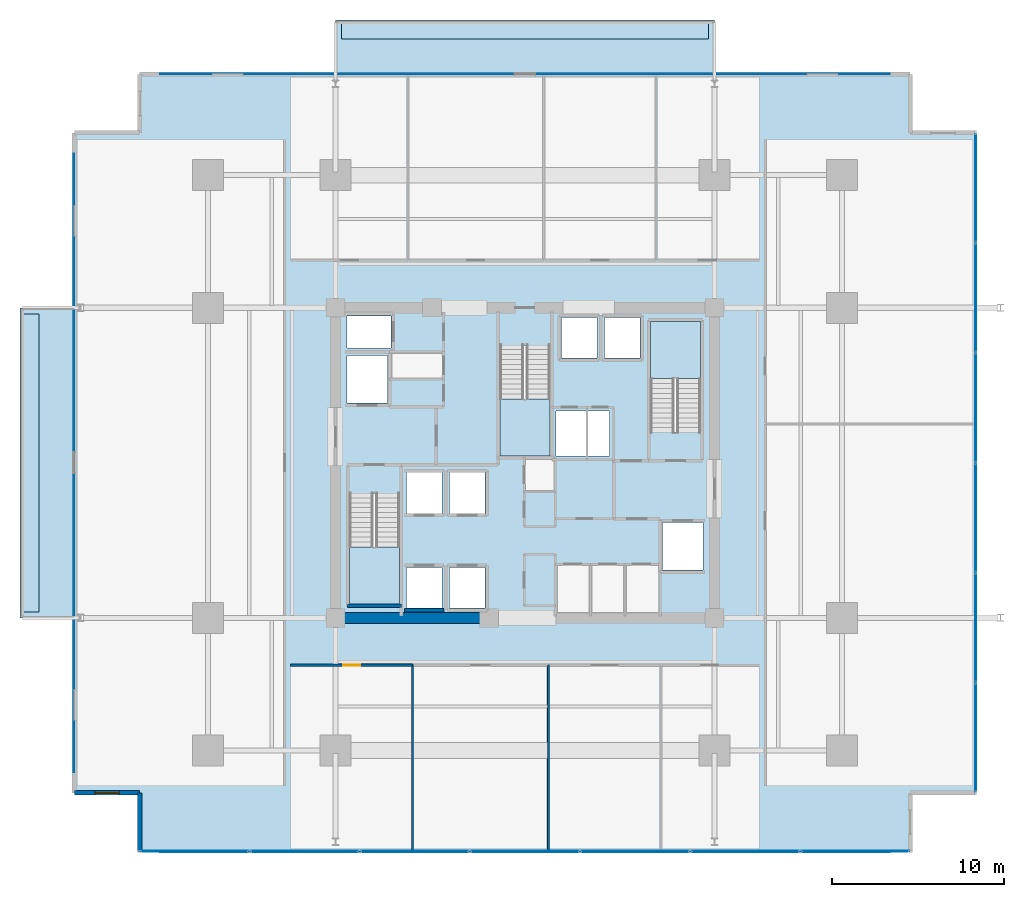
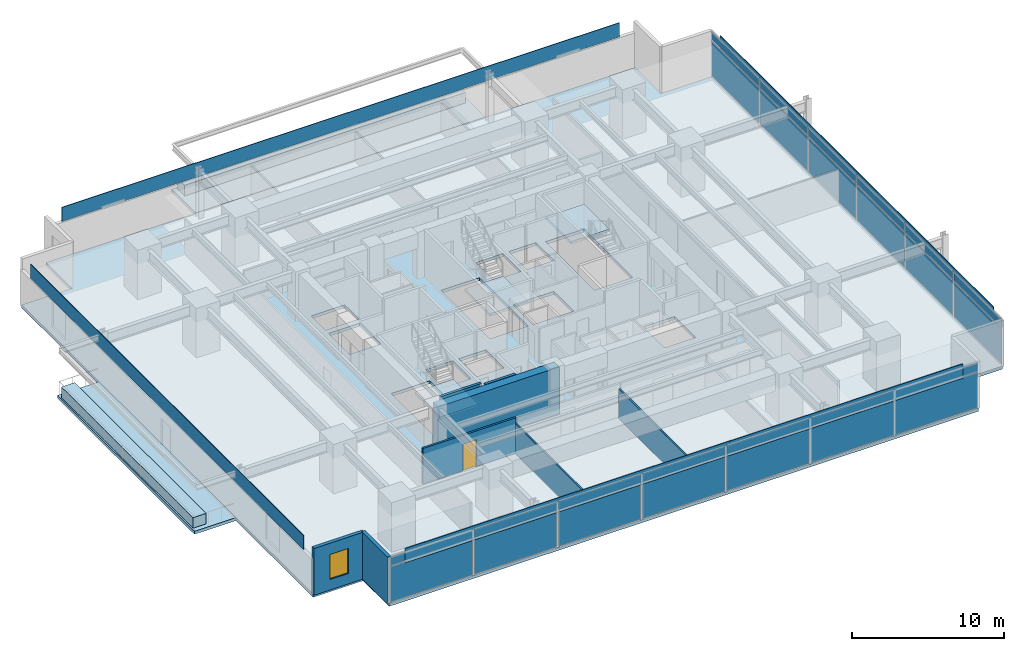
# One storey, part 12 of 20: 30 plates, 8 slabs, 8 walls, 1 door, 1 window, 2 openings, 5 elements without a shape of their own.
"""IFC4 building model written with IfcOpenShell, lengths in metres."""

from ifc_helpers import new_model, si_unit, direction, frame, frame_2d, origin, origin_2d, place, context, subcontext, project, spatial, polyline, rectangle, outline, extrude, material, layer, layer_set, type_object, element, fill, aggregate, save


model = new_model("IFC4")

# Units and contexts
model_context = context("Model", 3, precision=1e-05, world=origin(), true_north=direction((0.0, 1.0)))
body_context = subcontext(model_context, "Body", "Model", "MODEL_VIEW")
ifc_project = project(units=[si_unit("LENGTHUNIT", "METRE"), si_unit("AREAUNIT", "SQUARE_METRE"), si_unit("VOLUMEUNIT", "CUBIC_METRE"), si_unit("PLANEANGLEUNIT", "RADIAN"), si_unit("MASSUNIT", "GRAM", prefix="KILO")], contexts=[model_context])

# Site, building, storey
site_placement = place(None, origin())
site = spatial("IfcSite", under=ifc_project, at=site_placement, CompositionType="ELEMENT")
building_placement = place(site_placement, origin())
building = spatial("IfcBuilding", under=site, at=building_placement, Name="Kovane Verandah Tower", CompositionType="ELEMENT")
storey_placement = place(building_placement, frame((0.0, 0.0, 75.60009765625)))
storey = spatial("IfcBuildingStorey", under=building, at=storey_placement, Name="L17", CompositionType="ELEMENT", Elevation=75.60009765625)

# Curtain wall, plates
ifc_material_1 = material(Name="Champagne Anodised Aluminium Frame with Low-E Clear Laminated Glass", Category="aluminium")
curtain_wall_type = type_object("IfcCurtainWallType", Name="CW-SYS-02-LOW", PredefinedType="NOTDEFINED", material=ifc_material_1)
curtain_wall_1_placement = place(storey_placement, origin())
curtain_wall_1 = element("IfcCurtainWall", 1, at=curtain_wall_1_placement, inside=storey, type_object=curtain_wall_type, Name="L17 S Unitised Curtain Wall", PredefinedType="NOTDEFINED")
ifc_material_2 = material(Name="Pale Champagne Anodised Aluminium Insulated Spandrel", Category="aluminium")
ifc_layer_1 = layer(ifc_material_2, 0.0400390625)
ifc_layer_set_1 = layer_set([ifc_layer_1], Name="Pale Champagne Anodised Aluminium Insulated Spandrel")
plate_type_1 = type_object("IfcPlateType", Name="PL-CW-SPD-40", PredefinedType="SHEET", material=ifc_layer_set_1)
plate_1_placement = place(storey_placement, frame((20.832275390625, 4.9462890625, 3.02978515625), z_axis=(0.0, 0.0, 1.0), x_axis=(1.0, 0.0, 0.0)))
plate_1 = element("IfcPlate", 2, at=plate_1_placement, type_object=plate_type_1, Name="L17 S Unitised Curtain Wall Spandrel Panel 1", PredefinedType="SHEET", context=body_context, shape_type="SweptSolid", body=[
    extrude(rectangle(XDim=6.249267578125, YDim=0.0400390625, at=origin_2d()), origin(), (0.0, 0.0, 1.0), 0.639892578125),
])
plate_2_placement = place(storey_placement, frame((27.221435546875, 4.9462890625, 3.02978515625), z_axis=(0.0, 0.0, 1.0), x_axis=(1.0, 0.0, 0.0)))
plate_2 = element("IfcPlate", 3, at=plate_2_placement, type_object=plate_type_1, Name="L17 S Unitised Curtain Wall Spandrel Panel 2", PredefinedType="SHEET", context=body_context, shape_type="SweptSolid", body=[
    extrude(rectangle(XDim=6.249267578125, YDim=0.0400390625, at=origin_2d()), origin(), (0.0, 0.0, 1.0), 0.639892578125),
])
plate_3_placement = place(storey_placement, frame((33.610595703125, 4.9462890625, 3.02978515625), z_axis=(0.0, 0.0, 1.0), x_axis=(1.0, 0.0, 0.0)))
plate_3 = element("IfcPlate", 4, at=plate_3_placement, type_object=plate_type_1, Name="L17 S Unitised Curtain Wall Spandrel Panel 3", PredefinedType="SHEET", context=body_context, shape_type="SweptSolid", body=[
    extrude(rectangle(XDim=6.249267578125, YDim=0.0400390625, at=origin_2d()), origin(), (0.0, 0.0, 1.0), 0.639892578125),
])
plate_4_placement = place(storey_placement, frame((40.0, 4.9462890625, 3.02978515625), z_axis=(0.0, 0.0, 1.0), x_axis=(1.0, 0.0, 0.0)))
plate_4 = element("IfcPlate", 5, at=plate_4_placement, type_object=plate_type_1, Name="L17 S Unitised Curtain Wall Spandrel Panel 4", PredefinedType="SHEET", context=body_context, shape_type="SweptSolid", body=[
    extrude(rectangle(XDim=6.249267578125, YDim=0.0400390625, at=origin_2d()), origin(), (0.0, 0.0, 1.0), 0.639892578125),
])
plate_5_placement = place(storey_placement, frame((46.389404296875, 4.9462890625, 3.02978515625), z_axis=(0.0, 0.0, 1.0), x_axis=(1.0, 0.0, 0.0)))
plate_5 = element("IfcPlate", 6, at=plate_5_placement, type_object=plate_type_1, Name="L17 S Unitised Curtain Wall Spandrel Panel 5", PredefinedType="SHEET", context=body_context, shape_type="SweptSolid", body=[
    extrude(rectangle(XDim=6.249267578125, YDim=0.0400390625, at=origin_2d()), origin(), (0.0, 0.0, 1.0), 0.639892578125),
])
plate_6_placement = place(storey_placement, frame((52.778564453125, 4.9462890625, 3.02978515625), z_axis=(0.0, 0.0, 1.0), x_axis=(1.0, 0.0, 0.0)))
plate_6 = element("IfcPlate", 7, at=plate_6_placement, type_object=plate_type_1, Name="L17 S Unitised Curtain Wall Spandrel Panel 6", PredefinedType="SHEET", context=body_context, shape_type="SweptSolid", body=[
    extrude(rectangle(XDim=6.249267578125, YDim=0.0400390625, at=origin_2d()), origin(), (0.0, 0.0, 1.0), 0.639892578125),
])
plate_7_placement = place(storey_placement, frame((59.167724609375, 4.9462890625, 3.02978515625), z_axis=(0.0, 0.0, 1.0), x_axis=(1.0, 0.0, 0.0)))
plate_7 = element("IfcPlate", 8, at=plate_7_placement, type_object=plate_type_1, Name="L17 S Unitised Curtain Wall Spandrel Panel 7", PredefinedType="SHEET", context=body_context, shape_type="SweptSolid", body=[
    extrude(rectangle(XDim=6.249267578125, YDim=0.0400390625, at=origin_2d()), origin(), (0.0, 0.0, 1.0), 0.639892578125),
])

curtain_wall_2_placement = place(storey_placement, origin())
curtain_wall_2 = element("IfcCurtainWall", 9, at=curtain_wall_2_placement, inside=storey, type_object=curtain_wall_type, Name="L17 E Unitised Curtain Wall", PredefinedType="NOTDEFINED")
plate_8_placement = place(storey_placement, frame((66.162353515625, 11.53857421875, 3.02978515625), z_axis=(0.0, 0.0, 1.0), x_axis=(0.0, 1.0, 0.0)))
plate_8 = element("IfcPlate", 10, at=plate_8_placement, type_object=plate_type_1, Name="L17 E Unitised Curtain Wall Spandrel Panel 1", PredefinedType="SHEET", context=body_context, shape_type="SweptSolid", body=[
    extrude(rectangle(XDim=6.24462890625, YDim=0.0400390625, at=origin_2d()), origin(), (0.0, 0.0, 1.0), 0.639892578125),
])
plate_9_placement = place(storey_placement, frame((66.162353515625, 17.923095703125, 3.02978515625), z_axis=(0.0, 0.0, 1.0), x_axis=(0.0, 1.0, 0.0)))
plate_9 = element("IfcPlate", 11, at=plate_9_placement, type_object=plate_type_1, Name="L17 E Unitised Curtain Wall Spandrel Panel 2", PredefinedType="SHEET", context=body_context, shape_type="SweptSolid", body=[
    extrude(rectangle(XDim=6.24462890625, YDim=0.0400390625, at=origin_2d()), origin(), (0.0, 0.0, 1.0), 0.639892578125),
])
plate_10_placement = place(storey_placement, frame((66.162353515625, 24.3076171875, 3.02978515625), z_axis=(0.0, 0.0, 1.0), x_axis=(0.0, 1.0, 0.0)))
plate_10 = element("IfcPlate", 12, at=plate_10_placement, type_object=plate_type_1, Name="L17 E Unitised Curtain Wall Spandrel Panel 3", PredefinedType="SHEET", context=body_context, shape_type="SweptSolid", body=[
    extrude(rectangle(XDim=6.24462890625, YDim=0.0400390625, at=origin_2d()), origin(), (0.0, 0.0, 1.0), 0.639892578125),
])
plate_11_placement = place(storey_placement, frame((66.162353515625, 30.6923828125, 3.02978515625), z_axis=(0.0, 0.0, 1.0), x_axis=(0.0, 1.0, 0.0)))
plate_11 = element("IfcPlate", 13, at=plate_11_placement, type_object=plate_type_1, Name="L17 E Unitised Curtain Wall Spandrel Panel 4", PredefinedType="SHEET", context=body_context, shape_type="SweptSolid", body=[
    extrude(rectangle(XDim=6.24462890625, YDim=0.0400390625, at=origin_2d()), origin(), (0.0, 0.0, 1.0), 0.639892578125),
])
plate_12_placement = place(storey_placement, frame((66.162353515625, 37.076904296875, 3.02978515625), z_axis=(0.0, 0.0, 1.0), x_axis=(0.0, 1.0, 0.0)))
plate_12 = element("IfcPlate", 14, at=plate_12_placement, type_object=plate_type_1, Name="L17 E Unitised Curtain Wall Spandrel Panel 5", PredefinedType="SHEET", context=body_context, shape_type="SweptSolid", body=[
    extrude(rectangle(XDim=6.24462890625, YDim=0.0400390625, at=origin_2d()), origin(), (0.0, 0.0, 1.0), 0.639892578125),
])
plate_13_placement = place(storey_placement, frame((66.162353515625, 43.46142578125, 3.02978515625), z_axis=(0.0, 0.0, 1.0), x_axis=(0.0, 1.0, 0.0)))
plate_13 = element("IfcPlate", 15, at=plate_13_placement, type_object=plate_type_1, Name="L17 E Unitised Curtain Wall Spandrel Panel 6", PredefinedType="SHEET", context=body_context, shape_type="SweptSolid", body=[
    extrude(rectangle(XDim=6.24462890625, YDim=0.0400390625, at=origin_2d()), origin(), (0.0, 0.0, 1.0), 0.639892578125),
])

# Plate
ifc_material_3 = material(Name="Clear Low-E Laminated Double Glazing", Category="glass")
ifc_layer_2 = layer(ifc_material_3, 0.031982421875)
ifc_layer_set_2 = layer_set([ifc_layer_2], Name="Clear Low-E Laminated Double Glazing")
plate_type_2 = type_object("IfcPlateType", Name="PL-CW-VIS-32", PredefinedType="CURTAIN_PANEL", material=ifc_layer_set_2)
plate_14_placement = place(storey_placement, frame((20.832275390625, 4.9462890625, 0.099853515625), z_axis=(0.0, 0.0, 1.0), x_axis=(1.0, 0.0, 0.0)))
plate_14 = element("IfcPlate", 16, at=plate_14_placement, type_object=plate_type_2, Name="L17 S Unitised Curtain Wall Vision Panel 1", PredefinedType="CURTAIN_PANEL", context=body_context, shape_type="SweptSolid", body=[
    extrude(rectangle(XDim=6.249267578125, YDim=0.031982421875, at=origin_2d()), origin(), (0.0, 0.0, 1.0), 2.830078125),
])

plate_15_placement = place(storey_placement, frame((27.221435546875, 4.9462890625, 0.099853515625), z_axis=(0.0, 0.0, 1.0), x_axis=(1.0, 0.0, 0.0)))
plate_15 = element("IfcPlate", 17, at=plate_15_placement, type_object=plate_type_2, Name="L17 S Unitised Curtain Wall Vision Panel 2", PredefinedType="CURTAIN_PANEL", context=body_context, shape_type="SweptSolid", body=[
    extrude(rectangle(XDim=6.249267578125, YDim=0.031982421875, at=origin_2d()), origin(), (0.0, 0.0, 1.0), 2.830078125),
])

plate_16_placement = place(storey_placement, frame((33.610595703125, 4.9462890625, 0.099853515625), z_axis=(0.0, 0.0, 1.0), x_axis=(1.0, 0.0, 0.0)))
plate_16 = element("IfcPlate", 18, at=plate_16_placement, type_object=plate_type_2, Name="L17 S Unitised Curtain Wall Vision Panel 3", PredefinedType="CURTAIN_PANEL", context=body_context, shape_type="SweptSolid", body=[
    extrude(rectangle(XDim=6.249267578125, YDim=0.031982421875, at=origin_2d()), origin(), (0.0, 0.0, 1.0), 2.830078125),
])

plate_17_placement = place(storey_placement, frame((40.0, 4.9462890625, 0.099853515625), z_axis=(0.0, 0.0, 1.0), x_axis=(1.0, 0.0, 0.0)))
plate_17 = element("IfcPlate", 19, at=plate_17_placement, type_object=plate_type_2, Name="L17 S Unitised Curtain Wall Vision Panel 4", PredefinedType="CURTAIN_PANEL", context=body_context, shape_type="SweptSolid", body=[
    extrude(rectangle(XDim=6.249267578125, YDim=0.031982421875, at=origin_2d()), origin(), (0.0, 0.0, 1.0), 2.830078125),
])

plate_18_placement = place(storey_placement, frame((46.389404296875, 4.9462890625, 0.099853515625), z_axis=(0.0, 0.0, 1.0), x_axis=(1.0, 0.0, 0.0)))
plate_18 = element("IfcPlate", 20, at=plate_18_placement, type_object=plate_type_2, Name="L17 S Unitised Curtain Wall Vision Panel 5", PredefinedType="CURTAIN_PANEL", context=body_context, shape_type="SweptSolid", body=[
    extrude(rectangle(XDim=6.249267578125, YDim=0.031982421875, at=origin_2d()), origin(), (0.0, 0.0, 1.0), 2.830078125),
])

plate_19_placement = place(storey_placement, frame((52.778564453125, 4.9462890625, 0.099853515625), z_axis=(0.0, 0.0, 1.0), x_axis=(1.0, 0.0, 0.0)))
plate_19 = element("IfcPlate", 21, at=plate_19_placement, type_object=plate_type_2, Name="L17 S Unitised Curtain Wall Vision Panel 6", PredefinedType="CURTAIN_PANEL", context=body_context, shape_type="SweptSolid", body=[
    extrude(rectangle(XDim=6.249267578125, YDim=0.031982421875, at=origin_2d()), origin(), (0.0, 0.0, 1.0), 2.830078125),
])

plate_20_placement = place(storey_placement, frame((59.167724609375, 4.9462890625, 0.099853515625), z_axis=(0.0, 0.0, 1.0), x_axis=(1.0, 0.0, 0.0)))
plate_20 = element("IfcPlate", 22, at=plate_20_placement, type_object=plate_type_2, Name="L17 S Unitised Curtain Wall Vision Panel 7", PredefinedType="CURTAIN_PANEL", context=body_context, shape_type="SweptSolid", body=[
    extrude(rectangle(XDim=6.249267578125, YDim=0.031982421875, at=origin_2d()), origin(), (0.0, 0.0, 1.0), 2.830078125),
])

aggregate(curtain_wall_1, [plate_14, plate_1, plate_15, plate_2, plate_16, plate_3, plate_17, plate_4, plate_18, plate_5, plate_19, plate_6, plate_20, plate_7])

plate_21_placement = place(storey_placement, frame((66.162353515625, 11.53857421875, 0.099853515625), z_axis=(0.0, 0.0, 1.0), x_axis=(0.0, 1.0, 0.0)))
plate_21 = element("IfcPlate", 23, at=plate_21_placement, type_object=plate_type_2, Name="L17 E Unitised Curtain Wall Vision Panel 1", PredefinedType="CURTAIN_PANEL", context=body_context, shape_type="SweptSolid", body=[
    extrude(rectangle(XDim=6.24462890625, YDim=0.031982421875, at=origin_2d()), origin(), (0.0, 0.0, 1.0), 2.830078125),
])

plate_22_placement = place(storey_placement, frame((66.162353515625, 17.923095703125, 0.099853515625), z_axis=(0.0, 0.0, 1.0), x_axis=(0.0, 1.0, 0.0)))
plate_22 = element("IfcPlate", 24, at=plate_22_placement, type_object=plate_type_2, Name="L17 E Unitised Curtain Wall Vision Panel 2", PredefinedType="CURTAIN_PANEL", context=body_context, shape_type="SweptSolid", body=[
    extrude(rectangle(XDim=6.24462890625, YDim=0.031982421875, at=origin_2d()), origin(), (0.0, 0.0, 1.0), 2.830078125),
])

plate_23_placement = place(storey_placement, frame((66.162353515625, 24.3076171875, 0.099853515625), z_axis=(0.0, 0.0, 1.0), x_axis=(0.0, 1.0, 0.0)))
plate_23 = element("IfcPlate", 25, at=plate_23_placement, type_object=plate_type_2, Name="L17 E Unitised Curtain Wall Vision Panel 3", PredefinedType="CURTAIN_PANEL", context=body_context, shape_type="SweptSolid", body=[
    extrude(rectangle(XDim=6.24462890625, YDim=0.031982421875, at=origin_2d()), origin(), (0.0, 0.0, 1.0), 2.830078125),
])

plate_24_placement = place(storey_placement, frame((66.162353515625, 30.6923828125, 0.099853515625), z_axis=(0.0, 0.0, 1.0), x_axis=(0.0, 1.0, 0.0)))
plate_24 = element("IfcPlate", 26, at=plate_24_placement, type_object=plate_type_2, Name="L17 E Unitised Curtain Wall Vision Panel 4", PredefinedType="CURTAIN_PANEL", context=body_context, shape_type="SweptSolid", body=[
    extrude(rectangle(XDim=6.24462890625, YDim=0.031982421875, at=origin_2d()), origin(), (0.0, 0.0, 1.0), 2.830078125),
])

plate_25_placement = place(storey_placement, frame((66.162353515625, 37.076904296875, 0.099853515625), z_axis=(0.0, 0.0, 1.0), x_axis=(0.0, 1.0, 0.0)))
plate_25 = element("IfcPlate", 27, at=plate_25_placement, type_object=plate_type_2, Name="L17 E Unitised Curtain Wall Vision Panel 5", PredefinedType="CURTAIN_PANEL", context=body_context, shape_type="SweptSolid", body=[
    extrude(rectangle(XDim=6.24462890625, YDim=0.031982421875, at=origin_2d()), origin(), (0.0, 0.0, 1.0), 2.830078125),
])

plate_26_placement = place(storey_placement, frame((66.162353515625, 43.46142578125, 0.099853515625), z_axis=(0.0, 0.0, 1.0), x_axis=(0.0, 1.0, 0.0)))
plate_26 = element("IfcPlate", 28, at=plate_26_placement, type_object=plate_type_2, Name="L17 E Unitised Curtain Wall Vision Panel 6", PredefinedType="CURTAIN_PANEL", context=body_context, shape_type="SweptSolid", body=[
    extrude(rectangle(XDim=6.24462890625, YDim=0.031982421875, at=origin_2d()), origin(), (0.0, 0.0, 1.0), 2.830078125),
])

aggregate(curtain_wall_2, [plate_21, plate_8, plate_22, plate_9, plate_23, plate_10, plate_24, plate_11, plate_25, plate_12, plate_26, plate_13])

# Plates
ifc_material_4 = material(Name="Perforated Pale Champagne Anodised Aluminium Solar Screen", Category="aluminium")
ifc_layer_3 = layer(ifc_material_4, 0.050048828125)
ifc_layer_set_3 = layer_set([ifc_layer_3], Name="Perforated Pale Champagne Anodised Aluminium Solar Screen")
plate_type_3 = type_object("IfcPlateType", Name="PL-SCREEN-50", PredefinedType="USERDEFINED", material=ifc_layer_set_3)
plate_27_placement = place(storey_placement, frame((40.0, 4.931396484375, 2.85986328125), z_axis=(0.0, 0.0, 1.0), x_axis=(1.0, 0.0, 0.0)))
element("IfcPlate", 29, at=plate_27_placement, inside=storey, type_object=plate_type_3, Name="L17 S Perforated Champagne-Gold Solar Screen", ObjectType="SCREEN", PredefinedType="USERDEFINED", context=body_context, shape_type="SweptSolid", body=[
    extrude(rectangle(XDim=42.324951171875, YDim=0.050048828125, at=origin_2d()), origin(), (0.0, 0.0, 1.0), 1.14990234375),
])
plate_28_placement = place(storey_placement, frame((66.177490234375, 27.5, 2.85986328125), z_axis=(0.0, 0.0, 1.0), x_axis=(0.0, 1.0, 0.0)))
element("IfcPlate", 30, at=plate_28_placement, inside=storey, type_object=plate_type_3, Name="L17 E Perforated Champagne-Gold Solar Screen", ObjectType="SCREEN", PredefinedType="USERDEFINED", context=body_context, shape_type="SweptSolid", body=[
    extrude(rectangle(XDim=35.906982421875, YDim=0.050048828125, at=origin_2d()), origin(), (0.0, 0.0, 1.0), 1.14990234375),
])
plate_29_placement = place(storey_placement, frame((40.0, 50.068603515625, 2.85986328125), z_axis=(0.0, 0.0, 1.0), x_axis=(-1.0, 0.0, 0.0)))
element("IfcPlate", 31, at=plate_29_placement, inside=storey, type_object=plate_type_3, Name="L17 N Perforated Champagne-Gold Solar Screen", ObjectType="SCREEN", PredefinedType="USERDEFINED", context=body_context, shape_type="SweptSolid", body=[
    extrude(rectangle(XDim=42.324951171875, YDim=0.050048828125, at=origin_2d()), origin(), (0.0, 0.0, 1.0), 1.14990234375),
])
plate_30_placement = place(storey_placement, frame((13.822509765625, 27.5, 2.85986328125), z_axis=(0.0, 0.0, 1.0), x_axis=(0.0, -1.0, 0.0)))
element("IfcPlate", 32, at=plate_30_placement, inside=storey, type_object=plate_type_3, Name="L17 W Perforated Champagne-Gold Solar Screen", ObjectType="SCREEN", PredefinedType="USERDEFINED", context=body_context, shape_type="SweptSolid", body=[
    extrude(rectangle(XDim=35.906982421875, YDim=0.050048828125, at=origin_2d()), origin(), (0.0, 0.0, 1.0), 1.14990234375),
])

# Slabs
ifc_material_5 = material(Name="Concrete C45/55", Category="concrete")
ifc_layer_4 = layer(ifc_material_5, 0.239990234375)
ifc_layer_set_4 = layer_set([ifc_layer_4], Name="Concrete C45/55")
slab_type_1 = type_object("IfcSlabType", Name="SL-BALC-240", PredefinedType="FLOOR", material=ifc_layer_set_4)
slab_1_placement = place(storey_placement, frame((0.0, 0.0, -0.239990234375)))
element("IfcSlab", 33, at=slab_1_placement, inside=storey, type_object=slab_type_1, Name="L17 N Planted Verandah Balcony Slab", PredefinedType="FLOOR", context=body_context, shape_type="SweptSolid", body=[
    extrude(outline(polyline([(29.0, 50.0537109375), (51.0, 50.0537109375), (51.0, 53.20361328125), (29.0, 53.20361328125), (29.0, 50.0537109375)])), origin(), (0.0, 0.0, 1.0), 0.239990234375),
])
slab_2_placement = place(storey_placement, frame((0.0, 0.0, -0.239990234375)))
element("IfcSlab", 34, at=slab_2_placement, inside=storey, type_object=slab_type_1, Name="L17 W Planted Verandah Balcony Slab", PredefinedType="FLOOR", context=body_context, shape_type="SweptSolid", body=[
    extrude(outline(polyline([(10.6875, 18.5), (13.837646484375, 18.5), (13.837646484375, 36.5), (10.6875, 36.5), (10.6875, 18.5)])), origin(), (0.0, 0.0, 1.0), 0.239990234375),
])

# Stair, slab
stair_type = type_object("IfcStairType", Name="ST-CORE-1380", PredefinedType="HALF_TURN_STAIR", material=ifc_material_5)
stair_1_placement = place(storey_placement, origin())
stair_1 = element("IfcStair", 35, at=stair_1_placement, inside=storey, type_object=stair_type, Name="L17 Exit Stair ST-01", PredefinedType="HALF_TURN_STAIR")
ifc_layer_5 = layer(ifc_material_5, 0.199951171875)
ifc_layer_set_5 = layer_set([ifc_layer_5], Name="Concrete C45/55")
slab_type_2 = type_object("IfcSlabType", Name="SL-LAND-200", PredefinedType="LANDING", material=ifc_layer_set_5)
slab_3_placement = place(storey_placement, frame((0.0, 0.0, 1.7998046875)))
slab_3 = element("IfcSlab", 36, at=slab_3_placement, type_object=slab_type_2, Name="ST-01 landing 1", PredefinedType="LANDING", context=body_context, shape_type="SweptSolid", body=[
    extrude(outline(polyline([(29.800048828125, 22.614990234375), (29.800048828125, 19.300048828125), (32.719970703125, 19.300048828125), (32.719970703125, 22.614990234375), (29.800048828125, 22.614990234375)])), origin(), (0.0, 0.0, 1.0), 0.2001953125),
])
aggregate(stair_1, [slab_3])

stair_2_placement = place(storey_placement, origin())
stair_2 = element("IfcStair", 37, at=stair_2_placement, inside=storey, type_object=stair_type, Name="L17 Exit Stair ST-02", PredefinedType="HALF_TURN_STAIR")
slab_4_placement = place(storey_placement, frame((0.0, 0.0, 1.7998046875)))
slab_4 = element("IfcSlab", 38, at=slab_4_placement, type_object=slab_type_2, Name="ST-02 landing 1", PredefinedType="LANDING", context=body_context, shape_type="SweptSolid", body=[
    extrude(outline(polyline([(50.199951171875, 32.385009765625), (50.199951171875, 35.699951171875), (47.280029296875, 35.699951171875), (47.280029296875, 32.385009765625), (50.199951171875, 32.385009765625)])), origin(), (0.0, 0.0, 1.0), 0.2001953125),
])
aggregate(stair_2, [slab_4])

stair_3_placement = place(storey_placement, origin())
stair_3 = element("IfcStair", 39, at=stair_3_placement, inside=storey, type_object=stair_type, Name="L17 Exit Stair ST-03", PredefinedType="HALF_TURN_STAIR")
slab_5_placement = place(storey_placement, frame((0.0, 0.0, 1.7998046875)))
slab_5 = element("IfcSlab", 40, at=slab_5_placement, type_object=slab_type_2, Name="ST-03 landing 1", PredefinedType="LANDING", context=body_context, shape_type="SweptSolid", body=[
    extrude(outline(polyline([(38.5400390625, 31.215087890625), (38.5400390625, 27.89990234375), (41.4599609375, 27.89990234375), (41.4599609375, 31.215087890625), (38.5400390625, 31.215087890625)])), origin(), (0.0, 0.0, 1.0), 0.2001953125),
])
aggregate(stair_3, [slab_5])

# Slabs
ifc_material_6 = material(Name="Architectural Precast Concrete C45/55 Planter Trough", Category="concrete")
ifc_layer_6 = layer(ifc_material_6, 0.219970703125)
ifc_layer_set_6 = layer_set([ifc_layer_6], Name="Architectural Precast Concrete C45/55 Planter Trough")
slab_type_3 = type_object("IfcSlabType", Name="SL-PLANTER-220", PredefinedType="USERDEFINED", material=ifc_layer_set_6)
slab_6_placement = place(storey_placement, origin())
element("IfcSlab", 41, at=slab_6_placement, inside=storey, type_object=slab_type_3, Name="L17 N Structural Tree Planter", ObjectType="PLANTER", PredefinedType="USERDEFINED", context=body_context, shape_type="SweptSolid", body=[
    extrude(outline(polyline([(29.35009765625, 52.103759765625), (50.64990234375, 52.103759765625), (50.64990234375, 53.103759765625), (29.35009765625, 53.103759765625), (29.35009765625, 52.103759765625)])), origin(), (0.0, 0.0, 1.0), 0.849853515625),
])
slab_7_placement = place(storey_placement, origin())
element("IfcSlab", 42, at=slab_7_placement, inside=storey, type_object=slab_type_3, Name="L17 W Structural Tree Planter", ObjectType="PLANTER", PredefinedType="USERDEFINED", context=body_context, shape_type="SweptSolid", body=[
    extrude(outline(polyline([(10.78759765625, 18.85009765625), (11.78759765625, 18.85009765625), (11.78759765625, 36.14990234375), (10.78759765625, 36.14990234375), (10.78759765625, 18.85009765625)])), origin(), (0.0, 0.0, 1.0), 0.849853515625),
])
ifc_layer_7 = layer(ifc_material_5, 0.239990234375)
ifc_layer_set_7 = layer_set([ifc_layer_7], Name="Concrete C45/55")
slab_type_4 = type_object("IfcSlabType", Name="SL-TYP-240", PredefinedType="FLOOR", material=ifc_layer_set_7)
slab_8_placement = place(storey_placement, frame((0.0, 0.0, -0.239990234375)))
element("IfcSlab", 43, at=slab_8_placement, inside=storey, type_object=slab_type_4, Name="L17 Structural Floor Slab", PredefinedType="FLOOR", context=body_context, shape_type="SweptSolid", body=[
    extrude(outline(polyline([(17.6376953125, 4.9462890625), (62.3623046875, 4.9462890625), (62.3623046875, 8.34619140625), (66.162353515625, 8.34619140625), (66.162353515625, 46.65380859375), (62.3623046875, 46.65380859375), (62.3623046875, 50.0537109375), (17.6376953125, 50.0537109375), (17.6376953125, 46.65380859375), (13.837646484375, 46.65380859375), (13.837646484375, 8.34619140625), (17.6376953125, 8.34619140625), (17.6376953125, 4.9462890625)]), holes=[polyline([(29.800048828125, 19.300048828125), (32.719970703125, 19.300048828125), (32.719970703125, 25.705078125), (29.800048828125, 25.705078125), (29.800048828125, 19.300048828125)]), polyline([(47.280029296875, 29.294921875), (50.199951171875, 29.294921875), (50.199951171875, 35.699951171875), (47.280029296875, 35.699951171875), (47.280029296875, 29.294921875)]), polyline([(38.5400390625, 27.89990234375), (41.4599609375, 27.89990234375), (41.4599609375, 34.304931640625), (38.5400390625, 34.304931640625), (38.5400390625, 27.89990234375)]), polyline([(29.669921875, 30.969970703125), (32.030029296875, 30.969970703125), (32.030029296875, 33.72998046875), (29.669921875, 33.72998046875), (29.669921875, 30.969970703125)]), polyline([(47.969970703125, 21.27001953125), (50.330078125, 21.27001953125), (50.330078125, 24.030029296875), (47.969970703125, 24.030029296875), (47.969970703125, 21.27001953125)]), polyline([(29.669921875, 34.169921875), (32.22998046875, 34.169921875), (32.22998046875, 36.030029296875), (29.669921875, 36.030029296875), (29.669921875, 34.169921875)]), polyline([(33.1201171875, 19.070068359375), (35.179931640625, 19.070068359375), (35.179931640625, 21.429931640625), (33.1201171875, 21.429931640625), (33.1201171875, 19.070068359375)]), polyline([(35.6201171875, 19.070068359375), (37.679931640625, 19.070068359375), (37.679931640625, 21.429931640625), (35.6201171875, 21.429931640625), (35.6201171875, 19.070068359375)]), polyline([(33.1201171875, 24.570068359375), (35.179931640625, 24.570068359375), (35.179931640625, 26.929931640625), (33.1201171875, 26.929931640625), (33.1201171875, 24.570068359375)]), polyline([(35.6201171875, 24.570068359375), (37.679931640625, 24.570068359375), (37.679931640625, 26.929931640625), (35.6201171875, 26.929931640625), (35.6201171875, 24.570068359375)]), polyline([(42.1201171875, 33.570068359375), (44.179931640625, 33.570068359375), (44.179931640625, 35.929931640625), (42.1201171875, 35.929931640625), (42.1201171875, 33.570068359375)]), polyline([(44.6201171875, 33.570068359375), (46.679931640625, 33.570068359375), (46.679931640625, 35.929931640625), (44.6201171875, 35.929931640625), (44.6201171875, 33.570068359375)]), polyline([(41.800048828125, 27.89990234375), (44.89990234375, 27.89990234375), (44.89990234375, 30.5), (41.800048828125, 30.5), (41.800048828125, 27.89990234375)])]), origin(), (0.0, 0.0, 1.0), 0.239990234375),
])

# Wall, opening, door
ifc_material_7 = material(Name="Fire-Rated Gypsum Stud Partition", Category="gypsum")
ifc_layer_8 = layer(ifc_material_7, 0.14990234375)
ifc_layer_set_8 = layer_set([ifc_layer_8], Name="Fire-Rated Gypsum Stud Partition")
wall_type_1 = type_object("IfcWallType", Name="WL-COR-150", PredefinedType="PARTITIONING", material=ifc_layer_set_8)
wall_1_placement = place(storey_placement, frame((26.39990234375, 15.75, 0.0), z_axis=(0.0, 0.0, 1.0), x_axis=(1.0, 0.0, 0.0)))
wall_1 = element("IfcWall", 44, at=wall_1_placement, inside=storey, type_object=wall_type_1, Name="L17 Open Plan Office S1 Corridor Partition", PredefinedType="PARTITIONING", context=body_context, shape_type="SweptSolid", body=[
    extrude(rectangle(XDim=7.072021484375, YDim=0.14990234375, at=frame_2d((3.5361328125, 0.0))), origin(), (0.0, 0.0, 1.0), 2.849853515625),
])
opening_1_placement = place(wall_1_placement, frame((3.051025390625, 0.0, 0.0)))
opening_1 = element("IfcOpeningElement", 45, at=opening_1_placement, cuts=wall_1, Name="Opening DR-L17-025", PredefinedType="OPENING", context=body_context, shape_type="SweptSolid", body=[
    extrude(rectangle(XDim=1.0, YDim=2.14990234375, at=frame_2d((0.5, 1.074951171875))), frame((0.0, 0.074951171875, 0.0), z_axis=(0.0, -1.0, 0.0), x_axis=(1.0, 0.0, 0.0)), (0.0, 0.0, 1.0), 0.14990234375),
])
ifc_material_8 = material(Name="FSC Spotted-Gum Timber Fire-Rated Office Door", Category="wood")
door_type = type_object("IfcDoorType", Name="DR-OFF-1000", OperationType="SINGLE_SWING_LEFT", PredefinedType="DOOR", material=ifc_material_8)
door_placement = place(opening_1_placement, origin())
door = element("IfcDoor", 46, at=door_placement, inside=storey, type_object=door_type, Name="L17 Open Plan Office S1 Entrance Door", OperationType="SINGLE_SWING_RIGHT", OverallHeight=2.14990234375, OverallWidth=1.0, PredefinedType="DOOR", context=body_context, shape_type="SweptSolid", body=[
    extrude(rectangle(XDim=1.0, YDim=2.14990234375, at=frame_2d((0.5, 1.074951171875))), frame((0.0, 0.02490234375, 0.0), z_axis=(0.0, -1.0, 0.0), x_axis=(1.0, 0.0, 0.0)), (0.0, 0.0, 1.0), 0.050048828125),
])
fill(opening_1, door)

# Walls
ifc_material_9 = material(Name="Concrete C80/95", Category="concrete")
ifc_layer_9 = layer(ifc_material_9, 0.64990234375)
ifc_layer_set_9 = layer_set([ifc_layer_9], Name="Concrete C80/95")
wall_type_2 = type_object("IfcWallType", Name="WL-CORE-650", PredefinedType="SHEAR", material=ifc_layer_set_9)
wall_2_placement = place(storey_placement, frame((29.0, 18.5, 0.0), z_axis=(0.0, 0.0, 1.0), x_axis=(1.0, 0.0, 0.0)))
element("IfcWall", 47, at=wall_2_placement, inside=storey, type_object=wall_type_2, Name="L17 Core Shear Wall CS-1", PredefinedType="SHEAR", context=body_context, shape_type="SweptSolid", body=[
    extrude(rectangle(XDim=9.199951171875, YDim=0.64990234375, at=frame_2d((4.60009765625, 0.0))), origin(), (0.0, 0.0, 1.0), 3.760009765625),
])
ifc_material_10 = material(Name="Concrete C45/55 Lift Shaft Wall", Category="concrete")
ifc_layer_10 = layer(ifc_material_10, 0.199951171875)
ifc_layer_set_10 = layer_set([ifc_layer_10], Name="Concrete C45/55 Lift Shaft Wall")
wall_type_3 = type_object("IfcWallType", Name="WL-LIFT-200", PredefinedType="SOLIDWALL", material=ifc_layer_set_10)
wall_3_placement = place(storey_placement, frame((33.0, 18.949951171875, 0.0), z_axis=(0.0, 0.0, 1.0), x_axis=(1.0, 0.0, 0.0)))
element("IfcWall", 48, at=wall_3_placement, inside=storey, type_object=wall_type_3, Name="L17 Lift PL-L1 S Shaft Wall", PredefinedType="SOLIDWALL", context=body_context, shape_type="SweptSolid", body=[
    extrude(rectangle(XDim=2.300048828125, YDim=0.199951171875, at=frame_2d((1.14990234375, 0.0))), origin(), (0.0, 0.0, 1.0), 3.760009765625),
])
ifc_material_11 = material(Name="Acoustic Fire-Rated Gypsum Partition", Category="gypsum")
ifc_layer_11 = layer(ifc_material_11, 0.1201171875)
ifc_layer_set_11 = layer_set([ifc_layer_11], Name="Acoustic Fire-Rated Gypsum Partition")
wall_type_4 = type_object("IfcWallType", Name="WL-PART-120", PredefinedType="PARTITIONING", material=ifc_layer_set_11)
for number, where, z_axis, x_axis, name in (
    (49, (33.471923828125, 5.04638671875, 0.0), (0.0, 0.0, 1.0), (0.0, 1.0, 0.0), "L17 Open Plan Office S1 Dividing Partition"),
    (50, (41.360107421875, 5.04638671875, 0.0), (0.0, 0.0, 1.0), (0.0, 1.0, 0.0), "L17 Executive Office S2 Dividing Partition"),
):
    element("IfcWall", number, at=place(storey_placement, frame(where, z_axis=z_axis, x_axis=x_axis)), inside=storey, type_object=wall_type_4, Name=name, PredefinedType="PARTITIONING", context=body_context, shape_type="SweptSolid", body=[
        extrude(rectangle(XDim=10.70361328125, YDim=0.1201171875, at=frame_2d((5.351806640625, 0.0))), origin(), (0.0, 0.0, 1.0), 2.389892578125),
    ])
ifc_layer_12 = layer(ifc_material_5, 0.199951171875)
ifc_layer_set_12 = layer_set([ifc_layer_12], Name="Concrete C45/55")
wall_type_5 = type_object("IfcWallType", Name="WL-SHAFT-200", PredefinedType="SOLIDWALL", material=ifc_layer_set_12)
wall_4_placement = place(storey_placement, frame((29.699951171875, 19.199951171875, 0.0), z_axis=(0.0, 0.0, 1.0), x_axis=(1.0, 0.0, 0.0)))
element("IfcWall", 51, at=wall_4_placement, inside=storey, type_object=wall_type_5, Name="W-L17-ST01-S", PredefinedType="SOLIDWALL", context=body_context, shape_type="SweptSolid", body=[
    extrude(rectangle(XDim=3.1201171875, YDim=0.199951171875, at=frame_2d((1.56005859375, 0.0))), origin(), (0.0, 0.0, 1.0), 3.760009765625),
])

# Wall, opening, window
ifc_material_12 = material(Name="Concrete C45/55 Insulated Spandrel Wall", Category="concrete")
ifc_layer_13 = layer(ifc_material_12, 0.260009765625)
ifc_layer_set_13 = layer_set([ifc_layer_13], Name="Concrete C45/55 Insulated Spandrel Wall")
wall_type_6 = type_object("IfcWallType", Name="WL-SPANDREL-260", PredefinedType="PARAPET", material=ifc_layer_set_13)
wall_5_placement = place(storey_placement, frame((13.837646484375, 8.34619140625, 0.0), z_axis=(0.0, 0.0, 1.0), x_axis=(1.0, 0.0, 0.0)))
wall_5 = element("IfcWall", 52, at=wall_5_placement, inside=storey, type_object=wall_type_6, Name="L17 SW Notch Cheek Wall 1", PredefinedType="PARAPET", context=body_context, shape_type="SweptSolid", body=[
    extrude(rectangle(XDim=3.800048828125, YDim=0.260009765625, at=frame_2d((1.89990234375, 0.0))), origin(), (0.0, 0.0, 1.0), 3.760009765625),
])
opening_2_placement = place(wall_5_placement, frame((1.199951171875, 0.0, 0.85009765625)))
opening_2 = element("IfcOpeningElement", 53, at=opening_2_placement, cuts=wall_5, Name="Opening W-01", PredefinedType="OPENING", context=body_context, shape_type="SweptSolid", body=[
    extrude(rectangle(XDim=1.39990234375, YDim=2.0, at=frame_2d((0.699951171875, 1.0))), frame((0.0, 0.1298828125, 0.0), z_axis=(0.0, -1.0, 0.0), x_axis=(1.0, 0.0, 0.0)), (0.0, 0.0, 1.0), 0.260009765625),
])
ifc_material_13 = material(Name="Clear Low-E Laminated Double Glazing in Anodised Frame", Category="glass")
window_type = type_object("IfcWindowType", Name="WN-OPER-1400x2000", PartitioningType="SINGLE_PANEL", PredefinedType="WINDOW", material=ifc_material_13)
window_placement = place(opening_2_placement, origin())
window = element("IfcWindow", 54, at=window_placement, inside=storey, type_object=window_type, Name="L17 SW Re-Entrant Corner Operable Window", OverallHeight=2.0, OverallWidth=1.39990234375, PartitioningType="SINGLE_PANEL", PredefinedType="WINDOW", context=body_context, shape_type="SweptSolid", body=[
    extrude(rectangle(XDim=1.39990234375, YDim=2.0, at=frame_2d((0.699951171875, 1.0))), frame((0.0, 0.030029296875, 0.0), z_axis=(0.0, -1.0, 0.0), x_axis=(1.0, 0.0, 0.0)), (0.0, 0.0, 1.0), 0.06005859375),
])
fill(opening_2, window)

# Wall
wall_6_placement = place(storey_placement, frame((17.6376953125, 8.34619140625, 0.0), z_axis=(0.0, 0.0, 1.0), x_axis=(0.0, -1.0, 0.0)))
element("IfcWall", 55, at=wall_6_placement, inside=storey, type_object=wall_type_6, Name="L17 SW Notch Cheek Wall 2", PredefinedType="PARAPET", context=body_context, shape_type="SweptSolid", body=[
    extrude(rectangle(XDim=3.39990234375, YDim=0.260009765625, at=frame_2d((1.699951171875, 0.0))), origin(), (0.0, 0.0, 1.0), 3.760009765625),
])

save(model, "model.ifc")
